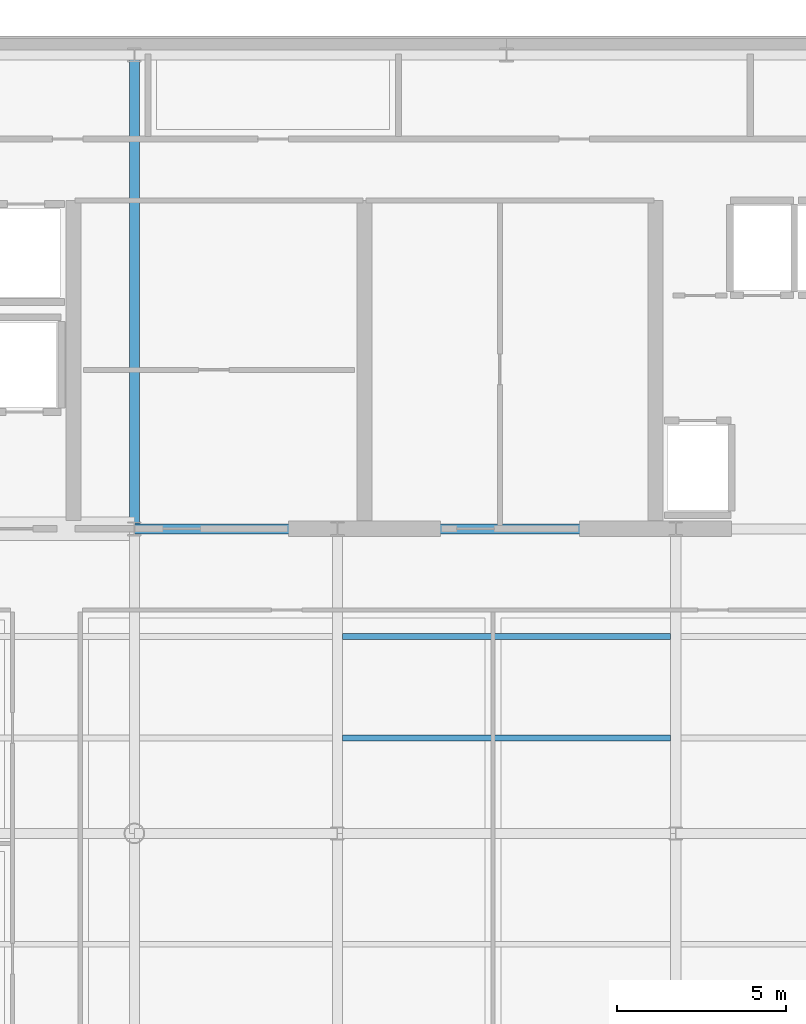
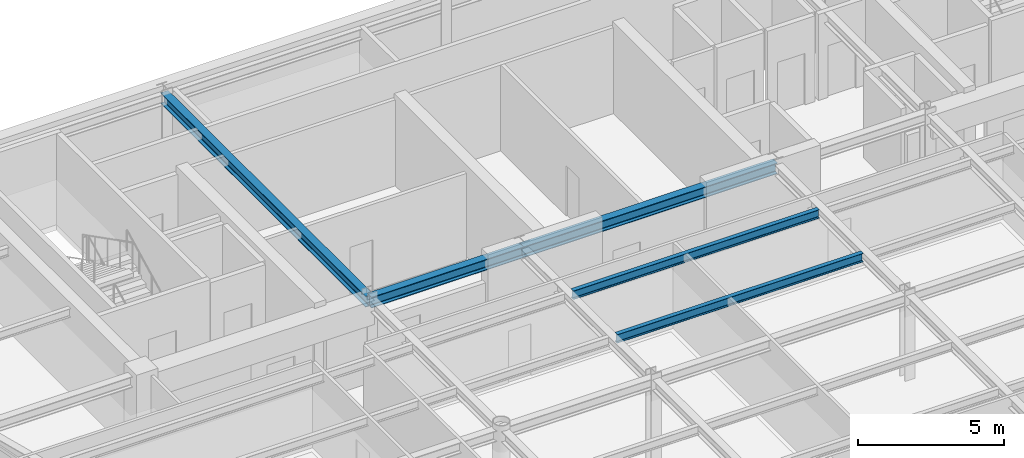
# One storey, part 5 of 20: 5 beams.
"""IFC4 building model written with IfcOpenShell, lengths in metres."""

from ifc_helpers import new_model, si_unit, direction, frame, origin, origin_2d, place, context, subcontext, project, spatial, i_section, extrude, source, transform, mapped, material, material_profile, profile_set, type_object, element, save


model = new_model("IFC4")

# Units and contexts
model_context = context("Model", 3, precision=1e-05, world=origin(), true_north=direction((0.0, 1.0)))
body_context = subcontext(model_context, "Body", "Model", "MODEL_VIEW")
ifc_project = project(units=[si_unit("LENGTHUNIT", "METRE"), si_unit("AREAUNIT", "SQUARE_METRE"), si_unit("VOLUMEUNIT", "CUBIC_METRE"), si_unit("PLANEANGLEUNIT", "RADIAN"), si_unit("MASSUNIT", "GRAM", prefix="KILO")], contexts=[model_context])

# Site, building, storey
site_placement = place(None, origin())
site = spatial("IfcSite", under=ifc_project, at=site_placement, CompositionType="ELEMENT")
building_placement = place(site_placement, origin())
building = spatial("IfcBuilding", under=site, at=building_placement, Name="Vaeldorn Concourse Tower", CompositionType="ELEMENT")
storey_placement = place(building_placement, frame((0.0, 0.0, 284.0)))
storey = spatial("IfcBuildingStorey", under=building, at=storey_placement, Name="L73", CompositionType="ELEMENT", Elevation=284.0)

# Beams
ifc_material = material(Name="Steel S355", Category="steel")
ifc_material_profile_1 = material_profile(ifc_material, i_section(OverallWidth=0.300048828125, OverallDepth=0.449951171875, WebThickness=0.013916015625, FlangeThickness=0.02587890625, FilletRadius=0.027099609375, at=origin_2d()), Name="HEB 450")
ifc_profile_set_1 = profile_set([ifc_material_profile_1], Name="Steel S355")
beam_type_1 = type_object("IfcBeamType", Name="BM-PG-HEB450", PredefinedType="BEAM", material=ifc_profile_set_1)
shared_shape_1 = source(origin(), body_context, "Body", "SweptSolid", [
    extrude(i_section(OverallWidth=0.300048828125, OverallDepth=0.449951171875, WebThickness=0.013916015625, FlangeThickness=0.02587890625, FilletRadius=0.027099609375, at=origin_2d()), origin(), (0.0, 0.0, 1.0), 6.0),
])
beam_1_placement = place(storey_placement, frame((23.0, 36.5, 3.35498046875), z_axis=(1.0, 0.0, 0.0), x_axis=(0.0, 1.0, 0.0)))
element("IfcBeam", 1, at=beam_1_placement, inside=storey, type_object=beam_type_1, Name="Beam BM-L73-C-FC2-C-FC3", PredefinedType="BEAM", context=body_context, shape_type="MappedRepresentation", body=[
    mapped(shared_shape_1, transform((0.0, 0.0, 0.0), scale=1.0)),
])
shared_shape_2 = source(origin(), body_context, "Body", "SweptSolid", [
    extrude(i_section(OverallWidth=0.300048828125, OverallDepth=0.449951171875, WebThickness=0.013916015625, FlangeThickness=0.02587890625, FilletRadius=0.027099609375, at=origin_2d()), origin(), (0.0, 0.0, 1.0), 10.0),
])
beam_2_placement = place(storey_placement, frame((29.0, 36.5, 3.35498046875), z_axis=(1.0, 0.0, 0.0), x_axis=(0.0, 1.0, 0.0)))
element("IfcBeam", 2, at=beam_2_placement, inside=storey, type_object=beam_type_1, Name="Beam BM-L73-C-FC3-C-FC4", PredefinedType="BEAM", context=body_context, shape_type="MappedRepresentation", body=[
    mapped(shared_shape_2, transform((0.0, 0.0, 0.0), scale=1.0)),
])
ifc_material_profile_2 = material_profile(ifc_material, i_section(OverallWidth=0.169921875, OverallDepth=0.360107421875, WebThickness=0.008056640625, FlangeThickness=0.0126953125, FilletRadius=0.01806640625, at=origin_2d()), Name="IPE 360")
ifc_profile_set_2 = profile_set([ifc_material_profile_2], Name="Steel S355")
beam_type_2 = type_object("IfcBeamType", Name="BM-JS-IPE360", PredefinedType="JOIST", material=ifc_profile_set_2)
shared_shape_3 = source(origin(), body_context, "Body", "SweptSolid", [
    extrude(i_section(OverallWidth=0.169921875, OverallDepth=0.360107421875, WebThickness=0.008056640625, FlangeThickness=0.0126953125, FilletRadius=0.01806640625, at=origin_2d()), origin(), (0.0, 0.0, 1.0), 9.7001953125),
])
for number, where, z_axis, x_axis, name in (
    (3, (29.14990234375, 30.320068359375, 3.39990234375), (1.0, 0.0, 0.0), (0.0, 1.0, 0.0), "Beam JS-L73-C-303"),
    (4, (29.14990234375, 33.320068359375, 3.39990234375), (1.0, 0.0, 0.0), (0.0, 1.0, 0.0), "Beam JS-L73-C-333"),
):
    element("IfcBeam", number, at=place(storey_placement, frame(where, z_axis=z_axis, x_axis=x_axis)), inside=storey, type_object=beam_type_2, Name=name, PredefinedType="JOIST", context=body_context, shape_type="MappedRepresentation", body=[
        mapped(shared_shape_3, transform((0.0, 0.0, 0.0), scale=1.0)),
    ])
shared_shape_4 = source(origin(), body_context, "Body", "SweptSolid", [
    extrude(i_section(OverallWidth=0.300048828125, OverallDepth=0.449951171875, WebThickness=0.013916015625, FlangeThickness=0.02587890625, FilletRadius=0.027099609375, at=origin_2d()), origin(), (0.0, 0.0, 1.0), 14.0),
])
beam_3_placement = place(storey_placement, frame((23.0, 36.5, 3.35498046875), z_axis=(0.0, 1.0, 0.0), x_axis=(-1.0, 0.0, 0.0)))
element("IfcBeam", 5, at=beam_3_placement, inside=storey, type_object=beam_type_1, Name="Beam BM-L73-C-FC2-C-HC2", PredefinedType="BEAM", context=body_context, shape_type="MappedRepresentation", body=[
    mapped(shared_shape_4, transform((0.0, 0.0, 0.0), scale=1.0)),
])

save(model, "model.ifc")
